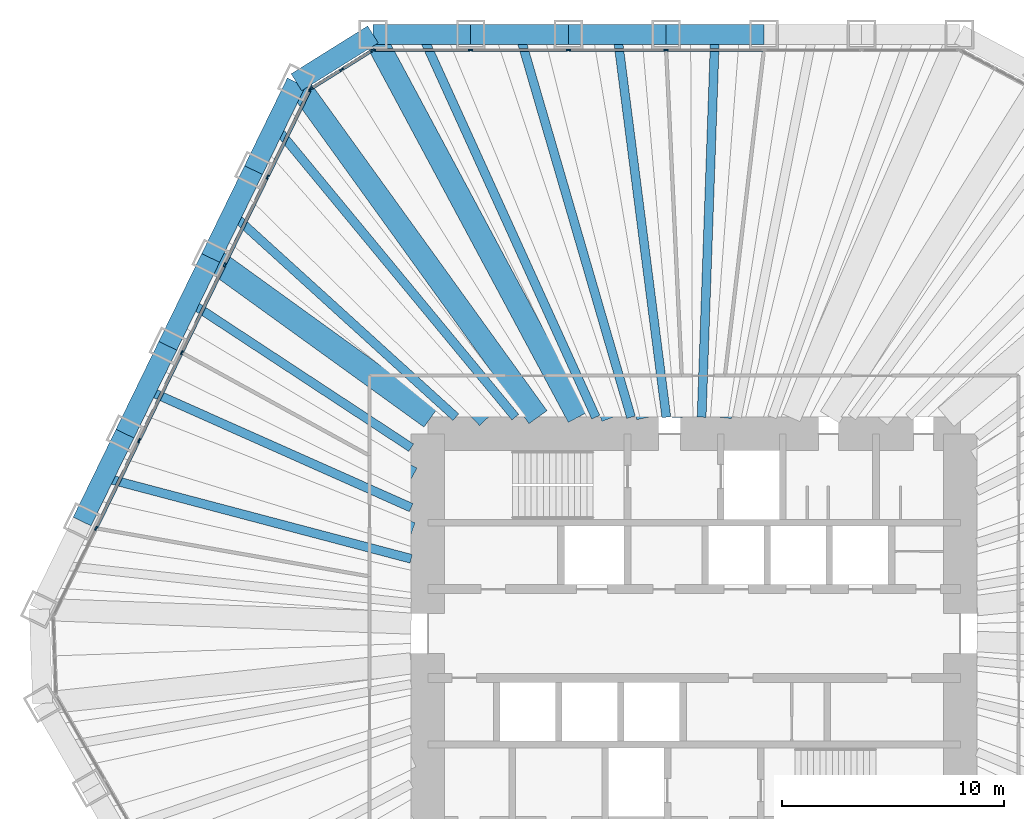
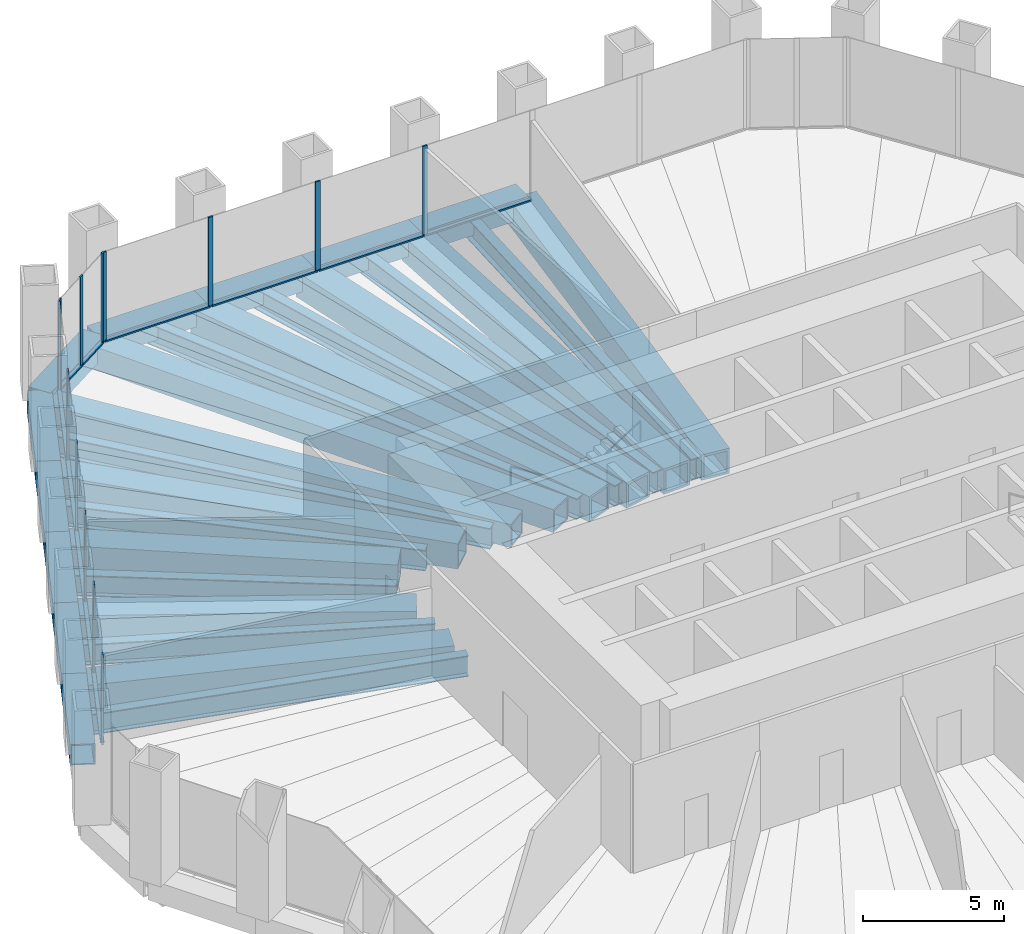
# One storey, part 6 of 13: 29 beams, 24 members, 3 elements without a shape of their own.
"""IFC4 building model written with IfcOpenShell, lengths in metres."""

from ifc_helpers import new_model, si_unit, direction, frame, origin, origin_2d, place, context, subcontext, project, spatial, rectangle, hollow_rectangle, i_section, extrude, material, material_profile, profile_set, type_object, element, aggregate, save


model = new_model("IFC4")

# Units and contexts
model_context = context("Model", 3, precision=1e-05, world=origin(), true_north=direction((0.0, 1.0)))
body_context = subcontext(model_context, "Body", "Model", "MODEL_VIEW")
ifc_project = project(units=[si_unit("LENGTHUNIT", "METRE"), si_unit("AREAUNIT", "SQUARE_METRE"), si_unit("VOLUMEUNIT", "CUBIC_METRE"), si_unit("PLANEANGLEUNIT", "RADIAN"), si_unit("MASSUNIT", "GRAM", prefix="KILO")], contexts=[model_context])

# Site, building, storey
site_placement = place(None, origin())
site = spatial("IfcSite", under=ifc_project, at=site_placement, CompositionType="ELEMENT")
building_placement = place(site_placement, origin())
building = spatial("IfcBuilding", under=site, at=building_placement, Name="Qingtian Harvest Tower", CompositionType="ELEMENT")
storey_placement = place(building_placement, frame((0.0, 0.0, 92.0)))
storey = spatial("IfcBuildingStorey", under=building, at=storey_placement, Name="L18", CompositionType="ELEMENT", Elevation=92.0)

# Beams
ifc_material_1 = material(Name="Steel SN490B", Category="steel")
ifc_material_profile_1 = material_profile(ifc_material_1, i_section(OverallWidth=0.39990234375, OverallDepth=0.89990234375, WebThickness=0.01904296875, FlangeThickness=0.035888671875, at=origin_2d()), Name="H900x400x19x36")
ifc_profile_set_1 = profile_set([ifc_material_profile_1], Name="Steel SN490B")
beam_type_1 = type_object("IfcBeamType", Name="Floor joist J4 H900x400x19x36", PredefinedType="JOIST", material=ifc_profile_set_1)
beam_1_placement = place(storey_placement, frame((-12.269287109375, 27.0, -0.64990234375), z_axis=(0.413713629402, -0.910407069858, 0.0), x_axis=(0.910407069858, 0.413713629402, 0.0)))
element("IfcBeam", 1, at=beam_1_placement, inside=storey, type_object=beam_type_1, Name="Floor joist J4 N0", PredefinedType="JOIST", context=body_context, shape_type="SweptSolid", body=[
    extrude(i_section(OverallWidth=0.39990234375, OverallDepth=0.89990234375, WebThickness=0.01904296875, FlangeThickness=0.035888671875, at=origin_2d()), origin(), (0.0, 0.0, 1.0), 18.947509765625),
])
beam_2_placement = place(storey_placement, frame((-7.864501953125, 27.0, -0.64990234375), z_axis=(0.279649335299, -0.960102207719, 0.0), x_axis=(0.960102207719, 0.279649335299, 0.0)))
element("IfcBeam", 2, at=beam_2_placement, inside=storey, type_object=beam_type_1, Name="Floor joist J4 N1", PredefinedType="JOIST", context=body_context, shape_type="SweptSolid", body=[
    extrude(i_section(OverallWidth=0.39990234375, OverallDepth=0.89990234375, WebThickness=0.01904296875, FlangeThickness=0.035888671875, at=origin_2d()), origin(), (0.0, 0.0, 1.0), 17.966796875),
])
beam_3_placement = place(storey_placement, frame((-3.4599609375, 27.0, -0.64990234375), z_axis=(0.127102696173, -0.991889562716, 0.0), x_axis=(0.991889562716, 0.127102696173, 0.0)))
element("IfcBeam", 3, at=beam_3_placement, inside=storey, type_object=beam_type_1, Name="Floor joist J4 N2", PredefinedType="JOIST", context=body_context, shape_type="SweptSolid", body=[
    extrude(i_section(OverallWidth=0.39990234375, OverallDepth=0.89990234375, WebThickness=0.01904296875, FlangeThickness=0.035888671875, at=origin_2d()), origin(), (0.0, 0.0, 1.0), 17.39111328125),
])
beam_4_placement = place(storey_placement, frame((0.944580078125, 27.0, -0.64990234375), z_axis=(-0.034965020137, -0.99938853674, 0.0), x_axis=(0.99938853674, -0.034965020137, 0.0)))
element("IfcBeam", 4, at=beam_4_placement, inside=storey, type_object=beam_type_1, Name="Floor joist J4 N3", PredefinedType="JOIST", context=body_context, shape_type="SweptSolid", body=[
    extrude(i_section(OverallWidth=0.39990234375, OverallDepth=0.89990234375, WebThickness=0.01904296875, FlangeThickness=0.035888671875, at=origin_2d()), origin(), (0.0, 0.0, 1.0), 17.260498046875),
])
beam_5_placement = place(storey_placement, frame((-26.6123046875, 7.028076171875, -0.64990234375), z_axis=(0.966852496992, -0.255335561684, 0.0), x_axis=(0.255335561684, 0.966852496992, 0.0)))
element("IfcBeam", 5, at=beam_5_placement, inside=storey, type_object=beam_type_1, Name="Floor joist J4 NW1", PredefinedType="JOIST", context=body_context, shape_type="SweptSolid", body=[
    extrude(i_section(OverallWidth=0.39990234375, OverallDepth=0.89990234375, WebThickness=0.01904296875, FlangeThickness=0.035888671875, at=origin_2d()), origin(), (0.0, 0.0, 1.0), 14.337646484375),
])
beam_6_placement = place(storey_placement, frame((-24.681640625, 10.987060546875, -0.64990234375), z_axis=(0.913567796195, -0.406686466157, 0.0), x_axis=(0.406686466157, 0.913567796195, 0.0)))
element("IfcBeam", 6, at=beam_6_placement, inside=storey, type_object=beam_type_1, Name="Floor joist J4 NW2", PredefinedType="JOIST", context=body_context, shape_type="SweptSolid", body=[
    extrude(i_section(OverallWidth=0.39990234375, OverallDepth=0.89990234375, WebThickness=0.01904296875, FlangeThickness=0.035888671875, at=origin_2d()), origin(), (0.0, 0.0, 1.0), 13.060546875),
])
beam_7_placement = place(storey_placement, frame((-22.750732421875, 14.94580078125, -0.64990234375), z_axis=(0.835785467613, -0.549056146607, 0.0), x_axis=(0.549056146607, 0.835785467613, 0.0)))
element("IfcBeam", 7, at=beam_7_placement, inside=storey, type_object=beam_type_1, Name="Floor joist J4 NW3", PredefinedType="JOIST", context=body_context, shape_type="SweptSolid", body=[
    extrude(i_section(OverallWidth=0.39990234375, OverallDepth=0.89990234375, WebThickness=0.01904296875, FlangeThickness=0.035888671875, at=origin_2d()), origin(), (0.0, 0.0, 1.0), 11.965576171875),
])
beam_8_placement = place(storey_placement, frame((-20.81982421875, 18.904541015625, -0.64990234375), z_axis=(0.740339866926, -0.672232758381, 0.0), x_axis=(0.672232758381, 0.740339866926, 0.0)))
element("IfcBeam", 8, at=beam_8_placement, inside=storey, type_object=beam_type_1, Name="Floor joist J4 NW4", PredefinedType="JOIST", context=body_context, shape_type="SweptSolid", body=[
    extrude(i_section(OverallWidth=0.39990234375, OverallDepth=0.89990234375, WebThickness=0.01904296875, FlangeThickness=0.035888671875, at=origin_2d()), origin(), (0.0, 0.0, 1.0), 13.6181640625),
])
beam_9_placement = place(storey_placement, frame((-18.888916015625, 22.863525390625, -0.64990234375), z_axis=(0.636910378144, -0.77093785107, 0.0), x_axis=(0.77093785107, 0.636910378144, 0.0)))
element("IfcBeam", 9, at=beam_9_placement, inside=storey, type_object=beam_type_1, Name="Floor joist J4 NW5", PredefinedType="JOIST", context=body_context, shape_type="SweptSolid", body=[
    extrude(i_section(OverallWidth=0.39990234375, OverallDepth=0.89990234375, WebThickness=0.01904296875, FlangeThickness=0.035888671875, at=origin_2d()), origin(), (0.0, 0.0, 1.0), 17.009765625),
])

# Curtain wall, members
ifc_material_2 = material(Name="Bronze-anodised aluminium curtain wall", Category="aluminium")
curtain_wall_type = type_object("IfcCurtainWallType", Name="Curtain wall CW2 farm reception", PredefinedType="USERDEFINED", material=ifc_material_2)
curtain_wall_1_placement = place(storey_placement, origin())
curtain_wall_1 = element("IfcCurtainWall", 10, at=curtain_wall_1_placement, inside=storey, type_object=curtain_wall_type, Name="Curtain wall CW2 L18 N0-5", ObjectType="RECESSED CURTAIN WALL", PredefinedType="USERDEFINED")
ifc_material_3 = material(Name="Bronze-anodised aluminium mullion", Category="aluminium")
ifc_material_profile_2 = material_profile(ifc_material_3, rectangle(XDim=0.06494140625, YDim=0.199951171875, at=origin_2d()), Name="AL 65x200")
ifc_profile_set_2 = profile_set([ifc_material_profile_2], Name="Bronze-anodised aluminium mullion")
member_type_1 = type_object("IfcMemberType", Name="Mullion CWM 65x200", PredefinedType="MULLION", material=ifc_profile_set_2)
member_1_placement = place(storey_placement, frame((-14.43896484375, 26.300048828125, 0.0), z_axis=(0.0, 0.0, 1.0), x_axis=(0.0, 1.0, 0.0)))
member_1 = element("IfcMember", 11, at=member_1_placement, type_object=member_type_1, Name="CW2 mullion 1", PredefinedType="MULLION", context=body_context, shape_type="SweptSolid", body=[
    extrude(rectangle(XDim=0.06494140625, YDim=0.199951171875, at=origin_2d()), origin(), (0.0, 0.0, 1.0), 3.89990234375),
])
member_2_placement = place(storey_placement, frame((-10.06689453125, 26.300048828125, 0.0), z_axis=(0.0, 0.0, 1.0), x_axis=(0.0, 1.0, 0.0)))
member_2 = element("IfcMember", 12, at=member_2_placement, type_object=member_type_1, Name="CW2 mullion 2", PredefinedType="MULLION", context=body_context, shape_type="SweptSolid", body=[
    extrude(rectangle(XDim=0.06494140625, YDim=0.199951171875, at=origin_2d()), origin(), (0.0, 0.0, 1.0), 3.89990234375),
])
member_3_placement = place(storey_placement, frame((-5.662353515625, 26.300048828125, 0.0), z_axis=(0.0, 0.0, 1.0), x_axis=(0.0, 1.0, 0.0)))
member_3 = element("IfcMember", 13, at=member_3_placement, type_object=member_type_1, Name="CW2 mullion 3", PredefinedType="MULLION", context=body_context, shape_type="SweptSolid", body=[
    extrude(rectangle(XDim=0.06494140625, YDim=0.199951171875, at=origin_2d()), origin(), (0.0, 0.0, 1.0), 3.89990234375),
])
member_4_placement = place(storey_placement, frame((-1.257568359375, 26.300048828125, 0.0), z_axis=(0.0, 0.0, 1.0), x_axis=(0.0, 1.0, 0.0)))
member_4 = element("IfcMember", 14, at=member_4_placement, type_object=member_type_1, Name="CW2 mullion 4", PredefinedType="MULLION", context=body_context, shape_type="SweptSolid", body=[
    extrude(rectangle(XDim=0.06494140625, YDim=0.199951171875, at=origin_2d()), origin(), (0.0, 0.0, 1.0), 3.89990234375),
])

curtain_wall_2_placement = place(storey_placement, origin())
curtain_wall_2 = element("IfcCurtainWall", 15, at=curtain_wall_2_placement, inside=storey, type_object=curtain_wall_type, Name="Curtain wall CW2 L18 NW0-5", ObjectType="RECESSED CURTAIN WALL", PredefinedType="USERDEFINED")
member_5_placement = place(storey_placement, frame((-26.94873046875, 4.741943359375, 0.0), z_axis=(0.0, 0.0, 1.0), x_axis=(-0.898794046299, 0.438371146789, 0.0)))
member_5 = element("IfcMember", 16, at=member_5_placement, type_object=member_type_1, Name="CW2 mullion 2", PredefinedType="MULLION", context=body_context, shape_type="SweptSolid", body=[
    extrude(rectangle(XDim=0.06494140625, YDim=0.199951171875, at=origin_2d()), origin(), (0.0, 0.0, 1.0), 3.89990234375),
])
member_6_placement = place(storey_placement, frame((-25.017822265625, 8.70068359375, 0.0), z_axis=(0.0, 0.0, 1.0), x_axis=(-0.898794046299, 0.438371146789, 0.0)))
member_6 = element("IfcMember", 17, at=member_6_placement, type_object=member_type_1, Name="CW2 mullion 3", PredefinedType="MULLION", context=body_context, shape_type="SweptSolid", body=[
    extrude(rectangle(XDim=0.06494140625, YDim=0.199951171875, at=origin_2d()), origin(), (0.0, 0.0, 1.0), 3.89990234375),
])
member_7_placement = place(storey_placement, frame((-23.0869140625, 12.659423828125, 0.0), z_axis=(0.0, 0.0, 1.0), x_axis=(-0.898794046299, 0.438371146789, 0.0)))
member_7 = element("IfcMember", 18, at=member_7_placement, type_object=member_type_1, Name="CW2 mullion 4", PredefinedType="MULLION", context=body_context, shape_type="SweptSolid", body=[
    extrude(rectangle(XDim=0.06494140625, YDim=0.199951171875, at=origin_2d()), origin(), (0.0, 0.0, 1.0), 3.89990234375),
])
member_8_placement = place(storey_placement, frame((-21.156005859375, 16.618408203125, 0.0), z_axis=(0.0, 0.0, 1.0), x_axis=(-0.898794046299, 0.438371146789, 0.0)))
member_8 = element("IfcMember", 19, at=member_8_placement, type_object=member_type_1, Name="CW2 mullion 5", PredefinedType="MULLION", context=body_context, shape_type="SweptSolid", body=[
    extrude(rectangle(XDim=0.06494140625, YDim=0.199951171875, at=origin_2d()), origin(), (0.0, 0.0, 1.0), 3.89990234375),
])
member_9_placement = place(storey_placement, frame((-19.225341796875, 20.5771484375, 0.0), z_axis=(0.0, 0.0, 1.0), x_axis=(-0.898794046299, 0.438371146789, 0.0)))
member_9 = element("IfcMember", 20, at=member_9_placement, type_object=member_type_1, Name="CW2 mullion 6", PredefinedType="MULLION", context=body_context, shape_type="SweptSolid", body=[
    extrude(rectangle(XDim=0.06494140625, YDim=0.199951171875, at=origin_2d()), origin(), (0.0, 0.0, 1.0), 3.89990234375),
])
member_10_placement = place(storey_placement, frame((-17.30859375, 24.5068359375, 0.0), z_axis=(0.0, 0.0, 1.0), x_axis=(-0.898794046299, 0.438371146789, 0.0)))
member_10 = element("IfcMember", 21, at=member_10_placement, type_object=member_type_1, Name="CW2 mullion 7", PredefinedType="MULLION", context=body_context, shape_type="SweptSolid", body=[
    extrude(rectangle(XDim=0.06494140625, YDim=0.199951171875, at=origin_2d()), origin(), (0.0, 0.0, 1.0), 3.89990234375),
])

curtain_wall_3_placement = place(storey_placement, origin())
curtain_wall_3 = element("IfcCurtainWall", 22, at=curtain_wall_3_placement, inside=storey, type_object=curtain_wall_type, Name="Curtain wall CW2 L18 NWC", ObjectType="RECESSED CURTAIN WALL", PredefinedType="USERDEFINED")
member_11_placement = place(storey_placement, frame((-17.266845703125, 24.55322265625, 0.0), z_axis=(0.0, 0.0, 1.0), x_axis=(-0.529919264233, 0.848048096156, 0.0)))
member_11 = element("IfcMember", 23, at=member_11_placement, type_object=member_type_1, Name="CW2 mullion 1", PredefinedType="MULLION", context=body_context, shape_type="SweptSolid", body=[
    extrude(rectangle(XDim=0.06494140625, YDim=0.199951171875, at=origin_2d()), origin(), (0.0, 0.0, 1.0), 3.89990234375),
])
member_12_placement = place(storey_placement, frame((-15.883056640625, 25.41796875, 0.0), z_axis=(0.0, 0.0, 1.0), x_axis=(-0.529919264233, 0.848048096156, 0.0)))
member_12 = element("IfcMember", 24, at=member_12_placement, type_object=member_type_1, Name="CW2 mullion 2", PredefinedType="MULLION", context=body_context, shape_type="SweptSolid", body=[
    extrude(rectangle(XDim=0.06494140625, YDim=0.199951171875, at=origin_2d()), origin(), (0.0, 0.0, 1.0), 3.89990234375),
])
member_13_placement = place(storey_placement, frame((-14.4990234375, 26.28271484375, 0.0), z_axis=(0.0, 0.0, 1.0), x_axis=(-0.529919264233, 0.848048096156, 0.0)))
member_13 = element("IfcMember", 25, at=member_13_placement, type_object=member_type_1, Name="CW2 mullion 3", PredefinedType="MULLION", context=body_context, shape_type="SweptSolid", body=[
    extrude(rectangle(XDim=0.06494140625, YDim=0.199951171875, at=origin_2d()), origin(), (0.0, 0.0, 1.0), 3.89990234375),
])

# Beams
ifc_material_4 = material(Name="Steel SM570MC", Category="steel")
ifc_material_profile_3 = material_profile(ifc_material_4, hollow_rectangle(XDim=1.0, YDim=1.0, WallThickness=0.080078125, at=origin_2d()), Name="BOX1000x1000x80")
ifc_profile_set_3 = profile_set([ifc_material_profile_3], Name="Steel SM570MC")
beam_type_2 = type_object("IfcBeamType", Name="Transfer corner beam FB11 BOX1000x1000x80", PredefinedType="BEAM", material=ifc_profile_set_3)
beam_10_placement = place(storey_placement, frame((-14.471435546875, 27.0, -0.699951171875), z_axis=(0.472401408299, -0.881383520062, 0.0), x_axis=(0.881383520062, 0.472401408299, 0.0)))
element("IfcBeam", 26, at=beam_10_placement, inside=storey, type_object=beam_type_2, Name="Floor beam FB11 N0", PredefinedType="BEAM", context=body_context, shape_type="SweptSolid", body=[
    extrude(hollow_rectangle(XDim=1.0, YDim=1.0, WallThickness=0.080078125, at=origin_2d()), origin(), (0.0, 0.0, 1.0), 19.571533203125),
])
beam_11_placement = place(storey_placement, frame((-17.923583984375, 24.8427734375, -0.699951171875), z_axis=(0.585095822328, -0.810964166098, 0.0), x_axis=(0.810964166098, 0.585095822328, 0.0)))
element("IfcBeam", 27, at=beam_11_placement, inside=storey, type_object=beam_type_2, Name="Floor beam FB11 NW6", PredefinedType="BEAM", context=body_context, shape_type="SweptSolid", body=[
    extrude(hollow_rectangle(XDim=1.0, YDim=1.0, WallThickness=0.080078125, at=origin_2d()), origin(), (0.0, 0.0, 1.0), 18.61083984375),
])
ifc_material_5 = material(Name="Steel SM570MC", Category="steel")
ifc_material_profile_4 = material_profile(ifc_material_5, hollow_rectangle(XDim=1.10009765625, YDim=1.10009765625, WallThickness=0.10009765625, at=origin_2d()), Name="BOX1100x1100x100")
ifc_profile_set_4 = profile_set([ifc_material_profile_4], Name="Steel SM570MC")
beam_type_3 = type_object("IfcBeamType", Name="Transfer floor beam FB9 BOX1100x1100x100", PredefinedType="BEAM", material=ifc_profile_set_4)
beam_12_placement = place(storey_placement, frame((-10.06689453125, 27.0, -0.75), z_axis=(0.349355612113, -0.936990211414, 0.0), x_axis=(0.936990211414, 0.349355612113, 0.0)))
element("IfcBeam", 28, at=beam_12_placement, inside=storey, type_object=beam_type_3, Name="Floor beam FB9 N1", PredefinedType="BEAM", context=body_context, shape_type="SweptSolid", body=[
    extrude(hollow_rectangle(XDim=1.10009765625, YDim=1.10009765625, WallThickness=0.10009765625, at=origin_2d()), origin(), (0.0, 0.0, 1.0), 18.409912109375),
])
beam_13_placement = place(storey_placement, frame((-5.662353515625, 27.0, -0.75), z_axis=(0.205255077335, -0.978708512903, 0.0), x_axis=(0.978708512903, 0.205255077335, 0.0)))
element("IfcBeam", 29, at=beam_13_placement, inside=storey, type_object=beam_type_3, Name="Floor beam FB9 N2", PredefinedType="BEAM", context=body_context, shape_type="SweptSolid", body=[
    extrude(hollow_rectangle(XDim=1.10009765625, YDim=1.10009765625, WallThickness=0.10009765625, at=origin_2d()), origin(), (0.0, 0.0, 1.0), 17.625244140625),
])
beam_14_placement = place(storey_placement, frame((-1.257568359375, 27.0, -0.75), z_axis=(0.046527342366, -0.99891701678, 0.0), x_axis=(0.99891701678, 0.046527342366, 0.0)))
element("IfcBeam", 30, at=beam_14_placement, inside=storey, type_object=beam_type_3, Name="Floor beam FB9 N3", PredefinedType="BEAM", context=body_context, shape_type="SweptSolid", body=[
    extrude(hollow_rectangle(XDim=1.10009765625, YDim=1.10009765625, WallThickness=0.10009765625, at=origin_2d()), origin(), (0.0, 0.0, 1.0), 17.268798828125),
])
beam_15_placement = place(storey_placement, frame((3.14697265625, 27.0, -0.75), z_axis=(-0.115766971807, -0.993276400726, 0.0), x_axis=(0.993276400726, -0.115766971807, 0.0)))
element("IfcBeam", 31, at=beam_15_placement, inside=storey, type_object=beam_type_3, Name="Floor beam FB9 N4", PredefinedType="BEAM", context=body_context, shape_type="SweptSolid", body=[
    extrude(hollow_rectangle(XDim=1.10009765625, YDim=1.10009765625, WallThickness=0.10009765625, at=origin_2d()), origin(), (0.0, 0.0, 1.0), 17.36669921875),
])
beam_16_placement = place(storey_placement, frame((-25.64697265625, 9.007568359375, -0.75), z_axis=(0.943501950009, -0.331366972296, 0.0), x_axis=(0.331366972296, 0.943501950009, 0.0)))
element("IfcBeam", 32, at=beam_16_placement, inside=storey, type_object=beam_type_3, Name="Floor beam FB9 NW2", PredefinedType="BEAM", context=body_context, shape_type="SweptSolid", body=[
    extrude(hollow_rectangle(XDim=1.10009765625, YDim=1.10009765625, WallThickness=0.10009765625, at=origin_2d()), origin(), (0.0, 0.0, 1.0), 13.669189453125),
])
beam_17_placement = place(storey_placement, frame((-23.716064453125, 12.96630859375, -0.75), z_axis=(0.877428569154, -0.479707312882, 0.0), x_axis=(0.479707312882, 0.877428569154, 0.0)))
element("IfcBeam", 33, at=beam_17_placement, inside=storey, type_object=beam_type_3, Name="Floor beam FB9 NW3", PredefinedType="BEAM", context=body_context, shape_type="SweptSolid", body=[
    extrude(hollow_rectangle(XDim=1.10009765625, YDim=1.10009765625, WallThickness=0.10009765625, at=origin_2d()), origin(), (0.0, 0.0, 1.0), 12.498046875),
])
beam_18_placement = place(storey_placement, frame((-21.78515625, 16.92529296875, -0.75), z_axis=(0.810680279019, -0.585489099139, 0.0), x_axis=(0.585489099139, 0.810680279019, 0.0)))
element("IfcBeam", 34, at=beam_18_placement, inside=storey, type_object=beam_type_3, Name="Floor beam FB9 NW4", PredefinedType="BEAM", context=body_context, shape_type="SweptSolid", body=[
    extrude(hollow_rectangle(XDim=1.10009765625, YDim=1.10009765625, WallThickness=0.10009765625, at=origin_2d()), origin(), (0.0, 0.0, 1.0), 12.255126953125),
])
beam_19_placement = place(storey_placement, frame((-19.8544921875, 20.884033203125, -0.75), z_axis=(0.689018801535, -0.724743465739, 0.0), x_axis=(0.724743465739, 0.689018801535, 0.0)))
element("IfcBeam", 35, at=beam_19_placement, inside=storey, type_object=beam_type_3, Name="Floor beam FB9 NW5", PredefinedType="BEAM", context=body_context, shape_type="SweptSolid", body=[
    extrude(hollow_rectangle(XDim=1.10009765625, YDim=1.10009765625, WallThickness=0.10009765625, at=origin_2d()), origin(), (0.0, 0.0, 1.0), 15.36279296875),
])
ifc_material_6 = material(Name="Steel SM570MC", Category="steel")
ifc_material_profile_5 = material_profile(ifc_material_6, hollow_rectangle(XDim=0.89990234375, YDim=0.89990234375, WallThickness=0.050048828125, at=origin_2d()), Name="BOX900x900x50")
ifc_profile_set_5 = profile_set([ifc_material_profile_5], Name="Steel SM570MC")
beam_type_4 = type_object("IfcBeamType", Name="Transition spandrel SB6 BOX900x900x50", PredefinedType="SPANDREL", material=ifc_profile_set_5)
for number, where, z_axis, x_axis, name in (
    (36, (-14.471435546875, 27.0, -0.449951171875), (1.0, 0.0, 0.0), (0.0, 1.0, 0.0), "Spandrel SB6 N0"),
    (37, (-10.06689453125, 27.0, -0.449951171875), (1.0, 0.0, 0.0), (0.0, 1.0, 0.0), "Spandrel SB6 N1"),
):
    element("IfcBeam", number, at=place(storey_placement, frame(where, z_axis=z_axis, x_axis=x_axis)), inside=storey, type_object=beam_type_4, Name=name, PredefinedType="SPANDREL", context=body_context, shape_type="SweptSolid", body=[
        extrude(hollow_rectangle(XDim=0.89990234375, YDim=0.89990234375, WallThickness=0.050048828125, at=origin_2d()), origin(), (0.0, 0.0, 1.0), 4.404541015625),
    ])
beam_20_placement = place(storey_placement, frame((-5.662353515625, 27.0, -0.449951171875), z_axis=(1.0, 0.0, 0.0), x_axis=(0.0, 1.0, 0.0)))
element("IfcBeam", 38, at=beam_20_placement, inside=storey, type_object=beam_type_4, Name="Spandrel SB6 N2", PredefinedType="SPANDREL", context=body_context, shape_type="SweptSolid", body=[
    extrude(hollow_rectangle(XDim=0.89990234375, YDim=0.89990234375, WallThickness=0.050048828125, at=origin_2d()), origin(), (0.0, 0.0, 1.0), 4.40478515625),
])
for number, where, z_axis, x_axis, name in (
    (39, (-1.257568359375, 27.0, -0.449951171875), (1.0, 0.0, 0.0), (0.0, 1.0, 0.0), "Spandrel SB6 N3"),
    (40, (-27.577880859375, 5.048828125, -0.449951171875), (0.438389777529, 0.898784959241, 0.0), (-0.898784959241, 0.438389777529, 0.0), "Spandrel SB6 NW1"),
    (41, (-25.64697265625, 9.007568359375, -0.449951171875), (0.438389777529, 0.898784959241, 0.0), (-0.898784959241, 0.438389777529, 0.0), "Spandrel SB6 NW2"),
):
    element("IfcBeam", number, at=place(storey_placement, frame(where, z_axis=z_axis, x_axis=x_axis)), inside=storey, type_object=beam_type_4, Name=name, PredefinedType="SPANDREL", context=body_context, shape_type="SweptSolid", body=[
        extrude(hollow_rectangle(XDim=0.89990234375, YDim=0.89990234375, WallThickness=0.050048828125, at=origin_2d()), origin(), (0.0, 0.0, 1.0), 4.404541015625),
    ])
beam_21_placement = place(storey_placement, frame((-23.716064453125, 12.96630859375, -0.449951171875), z_axis=(0.438367938366, 0.898795611145, 0.0), x_axis=(-0.898795611145, 0.438367938366, 0.0)))
element("IfcBeam", 42, at=beam_21_placement, inside=storey, type_object=beam_type_4, Name="Spandrel SB6 NW3", PredefinedType="SPANDREL", context=body_context, shape_type="SweptSolid", body=[
    extrude(hollow_rectangle(XDim=0.89990234375, YDim=0.89990234375, WallThickness=0.050048828125, at=origin_2d()), origin(), (0.0, 0.0, 1.0), 4.40478515625),
])
for number, where, z_axis, x_axis, name in (
    (43, (-21.78515625, 16.92529296875, -0.449951171875), (0.438344999367, 0.898806798778, 0.0), (-0.898806798778, 0.438344999367, 0.0), "Spandrel SB6 NW4"),
    (44, (-19.8544921875, 20.884033203125, -0.449951171875), (0.438389777529, 0.898784959241, 0.0), (-0.898784959241, 0.438389777529, 0.0), "Spandrel SB6 NW5"),
):
    element("IfcBeam", number, at=place(storey_placement, frame(where, z_axis=z_axis, x_axis=x_axis)), inside=storey, type_object=beam_type_4, Name=name, PredefinedType="SPANDREL", context=body_context, shape_type="SweptSolid", body=[
        extrude(hollow_rectangle(XDim=0.89990234375, YDim=0.89990234375, WallThickness=0.050048828125, at=origin_2d()), origin(), (0.0, 0.0, 1.0), 4.404541015625),
    ])
beam_22_placement = place(storey_placement, frame((-17.923583984375, 24.8427734375, -0.449951171875), z_axis=(0.848038733752, 0.529934246919, 0.0), x_axis=(-0.529934246919, 0.848038733752, 0.0)))
element("IfcBeam", 45, at=beam_22_placement, inside=storey, type_object=beam_type_4, Name="Spandrel SB6 NWC", PredefinedType="SPANDREL", context=body_context, shape_type="SweptSolid", body=[
    extrude(hollow_rectangle(XDim=0.89990234375, YDim=0.89990234375, WallThickness=0.050048828125, at=origin_2d()), origin(), (0.0, 0.0, 1.0), 4.07080078125),
])

# Member
ifc_material_7 = material(Name="Bronze-anodised aluminium transom", Category="aluminium")
ifc_material_profile_6 = material_profile(ifc_material_7, rectangle(XDim=0.14990234375, YDim=0.06494140625, at=origin_2d()), Name="AL 65x150")
ifc_profile_set_6 = profile_set([ifc_material_profile_6], Name="Bronze-anodised aluminium transom")
member_type_2 = type_object("IfcMemberType", Name="Transom CWT 65x150", PredefinedType="USERDEFINED", material=ifc_profile_set_6)
member_14_placement = place(storey_placement, frame((-14.406494140625, 26.300048828125, 0.032470703125), z_axis=(1.0, 0.0, 0.0), x_axis=(0.0, 1.0, 0.0)))
member_14 = element("IfcMember", 46, at=member_14_placement, type_object=member_type_2, Name="CW2 transom 1.1", ObjectType="TRANSOM", PredefinedType="USERDEFINED", context=body_context, shape_type="SweptSolid", body=[
    extrude(rectangle(XDim=0.14990234375, YDim=0.06494140625, at=origin_2d()), origin(), (0.0, 0.0, 1.0), 4.30712890625),
])

member_15_placement = place(storey_placement, frame((-10.034423828125, 26.300048828125, 0.032470703125), z_axis=(1.0, 0.0, 0.0), x_axis=(0.0, 1.0, 0.0)))
member_15 = element("IfcMember", 47, at=member_15_placement, type_object=member_type_2, Name="CW2 transom 2.1", ObjectType="TRANSOM", PredefinedType="USERDEFINED", context=body_context, shape_type="SweptSolid", body=[
    extrude(rectangle(XDim=0.14990234375, YDim=0.06494140625, at=origin_2d()), origin(), (0.0, 0.0, 1.0), 4.339599609375),
])

member_16_placement = place(storey_placement, frame((-5.6298828125, 26.300048828125, 0.032470703125), z_axis=(1.0, 0.0, 0.0), x_axis=(0.0, 1.0, 0.0)))
member_16 = element("IfcMember", 48, at=member_16_placement, type_object=member_type_2, Name="CW2 transom 3.1", ObjectType="TRANSOM", PredefinedType="USERDEFINED", context=body_context, shape_type="SweptSolid", body=[
    extrude(rectangle(XDim=0.14990234375, YDim=0.06494140625, at=origin_2d()), origin(), (0.0, 0.0, 1.0), 4.33984375),
])

member_17_placement = place(storey_placement, frame((-1.22509765625, 26.300048828125, 0.032470703125), z_axis=(1.0, 0.0, 0.0), x_axis=(0.0, 1.0, 0.0)))
member_17 = element("IfcMember", 49, at=member_17_placement, type_object=member_type_2, Name="CW2 transom 4.1", ObjectType="TRANSOM", PredefinedType="USERDEFINED", context=body_context, shape_type="SweptSolid", body=[
    extrude(rectangle(XDim=0.14990234375, YDim=0.06494140625, at=origin_2d()), origin(), (0.0, 0.0, 1.0), 4.339599609375),
])

aggregate(curtain_wall_1, [member_1, member_2, member_3, member_4, member_14, member_15, member_16, member_17])

member_18_placement = place(storey_placement, frame((-26.934326171875, 4.77099609375, 0.032470703125), z_axis=(0.438370427127, 0.898794397302, 0.0), x_axis=(-0.898794397302, 0.438370427127, 0.0)))
member_18 = element("IfcMember", 50, at=member_18_placement, type_object=member_type_2, Name="CW2 transom 2.1", ObjectType="TRANSOM", PredefinedType="USERDEFINED", context=body_context, shape_type="SweptSolid", body=[
    extrude(rectangle(XDim=0.14990234375, YDim=0.06494140625, at=origin_2d()), origin(), (0.0, 0.0, 1.0), 4.339599609375),
])

member_19_placement = place(storey_placement, frame((-25.003662109375, 8.72998046875, 0.032470703125), z_axis=(0.438370427127, 0.898794397302, 0.0), x_axis=(-0.898794397302, 0.438370427127, 0.0)))
member_19 = element("IfcMember", 51, at=member_19_placement, type_object=member_type_2, Name="CW2 transom 3.1", ObjectType="TRANSOM", PredefinedType="USERDEFINED", context=body_context, shape_type="SweptSolid", body=[
    extrude(rectangle(XDim=0.14990234375, YDim=0.06494140625, at=origin_2d()), origin(), (0.0, 0.0, 1.0), 4.339599609375),
])

member_20_placement = place(storey_placement, frame((-23.07275390625, 12.688720703125, 0.032470703125), z_axis=(0.438370427127, 0.898794397302, 0.0), x_axis=(-0.898794397302, 0.438370427127, 0.0)))
member_20 = element("IfcMember", 52, at=member_20_placement, type_object=member_type_2, Name="CW2 transom 4.1", ObjectType="TRANSOM", PredefinedType="USERDEFINED", context=body_context, shape_type="SweptSolid", body=[
    extrude(rectangle(XDim=0.14990234375, YDim=0.06494140625, at=origin_2d()), origin(), (0.0, 0.0, 1.0), 4.339599609375),
])

member_21_placement = place(storey_placement, frame((-21.141845703125, 16.6474609375, 0.032470703125), z_axis=(0.438348261778, 0.898805207704, 0.0), x_axis=(-0.898805207704, 0.438348261778, 0.0)))
member_21 = element("IfcMember", 53, at=member_21_placement, type_object=member_type_2, Name="CW2 transom 5.1", ObjectType="TRANSOM", PredefinedType="USERDEFINED", context=body_context, shape_type="SweptSolid", body=[
    extrude(rectangle(XDim=0.14990234375, YDim=0.06494140625, at=origin_2d()), origin(), (0.0, 0.0, 1.0), 4.33984375),
])

member_22_placement = place(storey_placement, frame((-19.2109375, 20.6064453125, 0.032470703125), z_axis=(0.438348803491, 0.89880494351, 0.0), x_axis=(-0.89880494351, 0.438348803491, 0.0)))
member_22 = element("IfcMember", 54, at=member_22_placement, type_object=member_type_2, Name="CW2 transom 6.1", ObjectType="TRANSOM", PredefinedType="USERDEFINED", context=body_context, shape_type="SweptSolid", body=[
    extrude(rectangle(XDim=0.14990234375, YDim=0.06494140625, at=origin_2d()), origin(), (0.0, 0.0, 1.0), 4.306884765625),
])

aggregate(curtain_wall_2, [member_5, member_6, member_7, member_8, member_9, member_10, member_18, member_19, member_20, member_21, member_22])

member_23_placement = place(storey_placement, frame((-17.2392578125, 24.570556640625, 0.032470703125), z_axis=(0.848059570903, 0.529900900357, 0.0), x_axis=(-0.529900900357, 0.848059570903, 0.0)))
member_23 = element("IfcMember", 55, at=member_23_placement, type_object=member_type_2, Name="CW2 transom 1.1", ObjectType="TRANSOM", PredefinedType="USERDEFINED", context=body_context, shape_type="SweptSolid", body=[
    extrude(rectangle(XDim=0.14990234375, YDim=0.06494140625, at=origin_2d()), origin(), (0.0, 0.0, 1.0), 1.56689453125),
])

member_24_placement = place(storey_placement, frame((-15.85546875, 25.435302734375, 0.032470703125), z_axis=(0.848059570903, 0.529900900357, 0.0), x_axis=(-0.529900900357, 0.848059570903, 0.0)))
member_24 = element("IfcMember", 56, at=member_24_placement, type_object=member_type_2, Name="CW2 transom 2.1", ObjectType="TRANSOM", PredefinedType="USERDEFINED", context=body_context, shape_type="SweptSolid", body=[
    extrude(rectangle(XDim=0.14990234375, YDim=0.06494140625, at=origin_2d()), origin(), (0.0, 0.0, 1.0), 1.56689453125),
])

aggregate(curtain_wall_3, [member_11, member_12, member_13, member_23, member_24])

save(model, "model.ifc")
